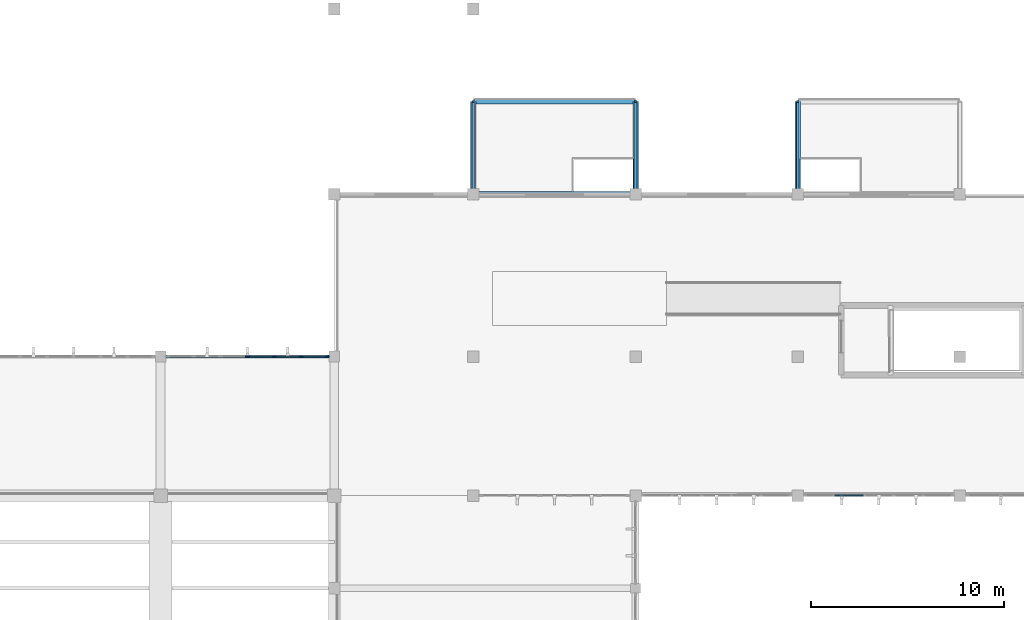
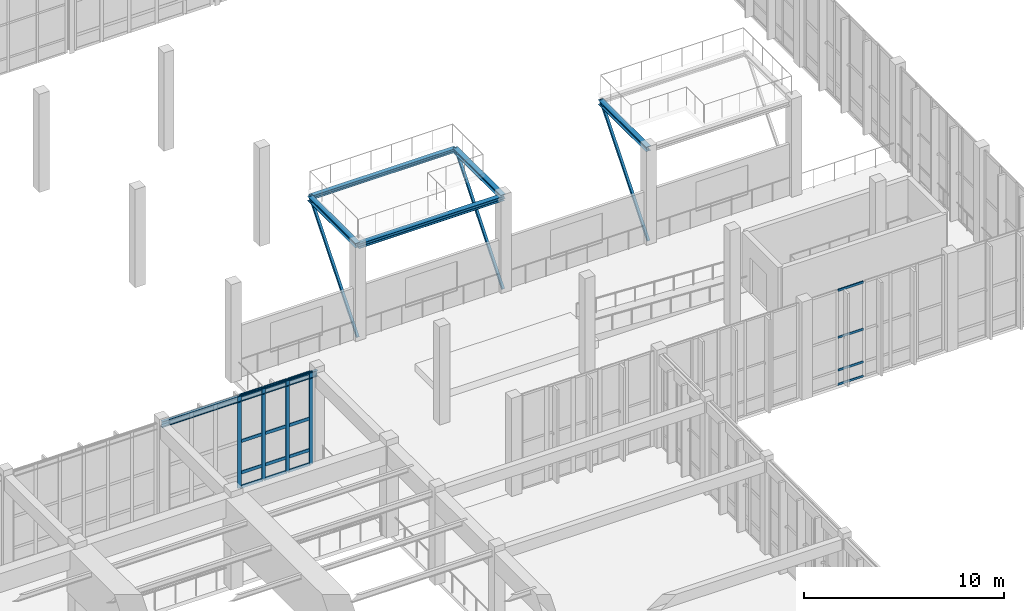
# One storey, part 48 of 105: 23 members, 6 beams, 2 elements without a shape of their own.
"""IFC4 building model written with IfcOpenShell, lengths in metres."""

import ifcopenshell
import ifcopenshell.guid

model = None  # the IFC model being written
_history = None  # IfcOwnerHistory: only IFC2X3 demands one
_inside = {}  # id of a spatial element -> (the spatial element, [elements in it])
_under = {}  # id of a project, library or spatial element -> (it, [spatial elements below it])
_declared = {}  # id of a project -> (the project, [libraries it declares])
_typed = {}  # id of a type object -> (the type object, [elements of that type])
_made_of = {}  # id of a material, layer set ... -> (it, [elements and type objects made of it])


def new_model(schema):
    """Start an empty IFC model of exactly this schema.

    Asked for "IFC4X3", IfcOpenShell would pick the latest addendum, in which some entities
    have other attributes; the version numbers below select the first issue.
    IFC2X3 requires an IfcOwnerHistory on every rooted entity: one is made here for all.
    """
    global model, _history
    if schema == "IFC4X3":
        model = ifcopenshell.file(schema_version=(4, 3, 0, 0))
    else:
        model = ifcopenshell.file(schema=schema)
    _inside.clear()
    _under.clear()
    _declared.clear()
    _typed.clear()
    _made_of.clear()
    _history = None
    if model.schema == "IFC2X3":
        org = make("IfcOrganization", Name="unknown")
        user = make(
            "IfcPersonAndOrganization",
            ThePerson=make("IfcPerson", FamilyName="unknown"),
            TheOrganization=org,
        )
        app = make(
            "IfcApplication",
            ApplicationDeveloper=org,
            Version="unknown",
            ApplicationFullName="unknown",
            ApplicationIdentifier="unknown",
        )
        _history = make(
            "IfcOwnerHistory",
            OwningUser=user,
            OwningApplication=app,
            ChangeAction="ADDED",
            CreationDate=0,
        )
    return model


def make(cls, **values):
    """One entity of the class cls with the attributes given. An attribute that is None is left unset."""
    return model.create_entity(
        cls, **{name: value for name, value in values.items() if value is not None}
    )


def rooted(cls, **values):
    """An entity with a GlobalId (a new one), such as an element, a storey or a relation."""
    return make(cls, GlobalId=ifcopenshell.guid.new(), OwnerHistory=_history, **values)


def si_unit(unit_type, name, prefix=None):
    """IfcSIUnit, for example si_unit("LENGTHUNIT", "METRE", prefix="MILLI")."""
    return make("IfcSIUnit", UnitType=unit_type, Prefix=prefix, Name=name)


def assignment(units):
    """IfcUnitAssignment: the units of a project."""
    return None if units is None else make("IfcUnitAssignment", Units=units)


def point(xyz):
    """IfcCartesianPoint."""
    return None if xyz is None else make("IfcCartesianPoint", Coordinates=xyz)


def direction(xyz):
    """IfcDirection."""
    return None if xyz is None else make("IfcDirection", DirectionRatios=xyz)


def frame(location, z_axis=None, x_axis=None):
    """IfcAxis2Placement3D, a coordinate frame: its origin and axes. An axis left out is left unset."""
    return make(
        "IfcAxis2Placement3D",
        Location=point(location),
        Axis=direction(z_axis),
        RefDirection=direction(x_axis),
    )


def frame_2d(location, x_axis=None):
    """IfcAxis2Placement2D, a coordinate frame in the plane: its origin and x axis."""
    return make(
        "IfcAxis2Placement2D", Location=point(location), RefDirection=direction(x_axis)
    )


def origin():
    """The frame at (0, 0, 0) with its axes left unset."""
    return frame((0.0, 0.0, 0.0))


def origin_2d():
    """The frame at (0, 0) in the plane with its x axis left unset."""
    return frame_2d((0.0, 0.0))


def place(relative_to, where):
    """IfcLocalPlacement: puts the frame where relative to a parent placement (None: the world)."""
    return make(
        "IfcLocalPlacement", PlacementRelTo=relative_to, RelativePlacement=where
    )


def context(
    kind, dimensions, precision=None, world=None, true_north=None, identifier=None
):
    """IfcGeometricRepresentationContext, for example the 3D "Model" context."""
    return make(
        "IfcGeometricRepresentationContext",
        ContextIdentifier=identifier,
        ContextType=kind,
        CoordinateSpaceDimension=dimensions,
        Precision=precision,
        WorldCoordinateSystem=world,
        TrueNorth=true_north,
    )


def subcontext(parent, identifier, kind, view, scale=None):
    """IfcGeometricRepresentationSubContext, for example "Body" below "Model"."""
    return make(
        "IfcGeometricRepresentationSubContext",
        ContextIdentifier=identifier,
        ContextType=kind,
        ParentContext=parent,
        TargetScale=scale,
        TargetView=view,
    )


def project(units=None, contexts=None):
    """IfcProject with its units and contexts."""
    return rooted(
        "IfcProject",
        Name="project",
        RepresentationContexts=contexts,
        UnitsInContext=assignment(units),
    )


def spatial(cls, under=None, at=None, **own):
    """A site, building, storey or space (cls), placed at a placement, below another one or the project."""
    s = rooted(cls, ObjectPlacement=at, **own)
    if under is not None:
        _under.setdefault(under.id(), (under, []))[1].append(s)
    return s


def profile(cls, at=None, kind="AREA", **sizes):
    """A parametric profile (cls). Its sizes go by their IFC names, for example OverallWidth=200.0."""
    return make(cls, ProfileType=kind, Position=at, **sizes)


def rectangle(**sizes):
    """IfcRectangleProfileDef."""
    return profile("IfcRectangleProfileDef", **sizes)


def hollow_rectangle(**sizes):
    """IfcRectangleHollowProfileDef."""
    return profile("IfcRectangleHollowProfileDef", **sizes)


def i_section(**sizes):
    """IfcIShapeProfileDef."""
    return profile("IfcIShapeProfileDef", **sizes)


def extrude(swept, where, along, depth):
    """IfcExtrudedAreaSolid: the profile swept, set in the frame where, extruded along a direction by depth."""
    return make(
        "IfcExtrudedAreaSolid",
        SweptArea=swept,
        Position=where,
        ExtrudedDirection=direction(along),
        Depth=depth,
    )


def shape(context_of_items, identifier, shape_type, items):
    """IfcShapeRepresentation: the items that make up one representation, for example the "Body"."""
    return make(
        "IfcShapeRepresentation",
        ContextOfItems=context_of_items,
        RepresentationIdentifier=identifier,
        RepresentationType=shape_type,
        Items=items,
    )


def material(Name=None, Category=None):
    """IfcMaterial."""
    return make("IfcMaterial", Name=Name, Category=Category)


def material_profile(
    of_material, cross_section, Name=None, Category=None, Priority=None
):
    """IfcMaterialProfile: a cross section and its material."""
    return make(
        "IfcMaterialProfile",
        Name=Name,
        Material=of_material,
        Profile=cross_section,
        Priority=Priority,
        Category=Category,
    )


def profile_set(profiles, Name=None, composite=None):
    """IfcMaterialProfileSet."""
    return make(
        "IfcMaterialProfileSet",
        Name=Name,
        MaterialProfiles=profiles,
        CompositeProfile=composite,
    )


def made_of(thing, what):
    """Note that an element or type object is made of a material, layer set ...; save() writes the relation."""
    if what is not None:
        _made_of.setdefault(what.id(), (what, []))[1].append(thing)
    return thing


def type_object(cls, material=None, **own):
    """A type object (cls), such as IfcWallType, which elements share."""
    return made_of(rooted(cls, **own), material)


def element(
    cls,
    number,
    at=None,
    inside=None,
    cuts=None,
    type_object=None,
    material=None,
    context=None,
    identifier="Body",
    shape_type=None,
    held_by="IfcProductDefinitionShape",
    body=None,
    shapes=None,
    **own,
):
    """One element of the class cls, such as IfcWall. Its Tag is "e" and its number.

    at: its placement. inside: the storey or other place that contains it. cuts: it is an
    opening in that element (IfcRelVoidsElement). A single representation is given by context,
    identifier, shape_type and body (its items); several are given by shapes. held_by: the class
    of the entity that holds the representations. save() writes the other relations.
    """
    e = rooted(cls, Tag="e%d" % number, ObjectPlacement=at, **own)
    if body is not None:
        shapes = [shape(context, identifier, shape_type, body)]
    if shapes is not None:
        e.Representation = make(held_by, Representations=shapes)
    if inside is not None:
        _inside.setdefault(inside.id(), (inside, []))[1].append(e)
    if cuts is not None:
        rooted(
            "IfcRelVoidsElement", RelatingBuildingElement=cuts, RelatedOpeningElement=e
        )
    if type_object is not None:
        _typed.setdefault(type_object.id(), (type_object, []))[1].append(e)
    return made_of(e, material)


def aggregate(whole, parts):
    """IfcRelAggregates: a whole, such as a stair, and the parts it consists of."""
    return rooted("IfcRelAggregates", RelatingObject=whole, RelatedObjects=parts)


def save(model, path):
    """Write the relations noted so far, then the file.

    IfcRelAggregates (storeys below a building ...), IfcRelContainedInSpatialStructure (elements
    in a storey), IfcRelDefinesByType, IfcRelAssociatesMaterial and IfcRelDeclares: one each for
    every whole, place, type object, material and project.
    """
    for whole, parts in _under.values():
        aggregate(whole, parts)
    for where, things in _inside.values():
        rooted(
            "IfcRelContainedInSpatialStructure",
            RelatedElements=things,
            RelatingStructure=where,
        )
    for kind, things in _typed.values():
        rooted("IfcRelDefinesByType", RelatedObjects=things, RelatingType=kind)
    for what, things in _made_of.values():
        rooted("IfcRelAssociatesMaterial", RelatedObjects=things, RelatingMaterial=what)
    for by, libraries in _declared.values():
        rooted("IfcRelDeclares", RelatingContext=by, RelatedDefinitions=libraries)
    model.write(path)


model = new_model("IFC4")

# Units and contexts
model_context = context("Model", 3, precision=1e-05, world=origin(), true_north=direction((0.0, 1.0)))
body_context = subcontext(model_context, "Body", "Model", "MODEL_VIEW")
ifc_project = project(units=[si_unit("LENGTHUNIT", "METRE"), si_unit("AREAUNIT", "SQUARE_METRE"), si_unit("VOLUMEUNIT", "CUBIC_METRE"), si_unit("PLANEANGLEUNIT", "RADIAN"), si_unit("MASSUNIT", "GRAM", prefix="KILO")], contexts=[model_context])

# Site, building, storey
site_placement = place(None, origin())
site = spatial("IfcSite", under=ifc_project, at=site_placement, CompositionType="ELEMENT")
building_placement = place(site_placement, origin())
building = spatial("IfcBuilding", under=site, at=building_placement, Name="Tizgana Railside Sports Hall", CompositionType="ELEMENT")
storey_placement = place(building_placement, frame((0.0, 0.0, 6.0)))
storey = spatial("IfcBuildingStorey", under=building, at=storey_placement, Name="L01", CompositionType="ELEMENT", Elevation=6.0)

# Curtain wall, members
ifc_material_1 = material(Name="Anodised aluminium and glass", Category="aluminium")
curtain_wall_type_1 = type_object("IfcCurtainWallType", Name="Unitised Curtain Wall Clinic 1200", PredefinedType="NOTDEFINED", material=ifc_material_1)
curtain_wall_1_placement = place(storey_placement, origin())
curtain_wall_1 = element("IfcCurtainWall", 1, at=curtain_wall_1_placement, inside=storey, type_object=curtain_wall_type_1, Name="L01 Curtain Wall CW-0028", PredefinedType="NOTDEFINED")
ifc_material_2 = material(Name="Anodised aluminium", Category="aluminium")
ifc_material_profile_1 = material_profile(ifc_material_2, rectangle(XDim=0.070068359375, YDim=0.219970703125, at=origin_2d()), Name="Mullion 70x220")
ifc_profile_set_1 = profile_set([ifc_material_profile_1], Name="Anodised aluminium")
member_type_1 = type_object("IfcMemberType", Name="Mullion 70x220", PredefinedType="MULLION", material=ifc_profile_set_1)
member_1_placement = place(storey_placement, frame((129.300048828125, 80.39990234375, 0.0), z_axis=(0.0, 0.0, 1.0), x_axis=(0.0, 1.0, 0.0)))
member_1 = element("IfcMember", 2, at=member_1_placement, type_object=member_type_1, Name="CW-05 mullion 4", PredefinedType="MULLION", context=body_context, shape_type="SweptSolid", body=[
    extrude(rectangle(XDim=0.070068359375, YDim=0.219970703125, at=origin_2d()), origin(), (0.0, 0.0, 1.0), 5.639892578125),
])
member_2_placement = place(storey_placement, frame((130.68994140625, 80.39990234375, 0.0), z_axis=(0.0, 0.0, 1.0), x_axis=(0.0, 1.0, 0.0)))
member_2 = element("IfcMember", 3, at=member_2_placement, type_object=member_type_1, Name="CW-05 mullion 5", PredefinedType="MULLION", context=body_context, shape_type="SweptSolid", body=[
    extrude(rectangle(XDim=0.070068359375, YDim=0.219970703125, at=origin_2d()), origin(), (0.0, 0.0, 1.0), 5.639892578125),
])
member_3_placement = place(storey_placement, frame((132.080078125, 80.39990234375, 0.0), z_axis=(0.0, 0.0, 1.0), x_axis=(0.0, 1.0, 0.0)))
member_3 = element("IfcMember", 4, at=member_3_placement, type_object=member_type_1, Name="CW-05 mullion 6", PredefinedType="MULLION", context=body_context, shape_type="SweptSolid", body=[
    extrude(rectangle(XDim=0.070068359375, YDim=0.219970703125, at=origin_2d()), origin(), (0.0, 0.0, 1.0), 5.639892578125),
])
member_4_placement = place(storey_placement, frame((133.43505859375, 80.39990234375, 0.0), z_axis=(0.0, 0.0, 1.0), x_axis=(0.0, 1.0, 0.0)))
member_4 = element("IfcMember", 5, at=member_4_placement, type_object=member_type_1, Name="CW-05 mullion 7", PredefinedType="MULLION", context=body_context, shape_type="SweptSolid", body=[
    extrude(rectangle(XDim=0.070068359375, YDim=0.219970703125, at=origin_2d()), origin(), (0.0, 0.0, 1.0), 5.639892578125),
])

# Beams
ifc_material_3 = material(Name="Steel S355J2", Category="steel")
ifc_material_profile_2 = material_profile(ifc_material_3, i_section(OverallWidth=0.239990234375, OverallDepth=0.239990234375, WebThickness=0.010009765625, FlangeThickness=0.01708984375, FilletRadius=0.02099609375, at=origin_2d()), Name="HEB 240")
ifc_profile_set_2 = profile_set([ifc_material_profile_2], Name="Steel S355J2")
beam_type_1 = type_object("IfcBeamType", Name="Steel Beam HEB 240", PredefinedType="BEAM", material=ifc_profile_set_2)
beam_1_placement = place(storey_placement, frame((141.0, 93.60009765625, 5.64990234375), z_axis=(1.0, 0.0, 0.0), x_axis=(0.0, 1.0, 0.0)))
element("IfcBeam", 6, at=beam_1_placement, inside=storey, type_object=beam_type_1, Name="L01 BEM-1294", PredefinedType="BEAM", context=body_context, shape_type="SweptSolid", body=[
    extrude(i_section(OverallWidth=0.239990234375, OverallDepth=0.239990234375, WebThickness=0.010009765625, FlangeThickness=0.01708984375, FilletRadius=0.02099609375, at=origin_2d()), origin(), (0.0, 0.0, 1.0), 8.39990234375),
])
ifc_material_profile_3 = material_profile(ifc_material_3, i_section(OverallWidth=0.280029296875, OverallDepth=0.280029296875, WebThickness=0.010498046875, FlangeThickness=0.01806640625, FilletRadius=0.02392578125, at=origin_2d()), Name="HEB 280")
ifc_profile_set_3 = profile_set([ifc_material_profile_3], Name="Steel S355J2")
beam_type_2 = type_object("IfcBeamType", Name="Steel Beam HEB 280", PredefinedType="BEAM", material=ifc_profile_set_3)
beam_2_placement = place(storey_placement, frame((141.0, 88.800048828125, 5.6298828125), z_axis=(1.0, 0.0, 0.0), x_axis=(0.0, 1.0, 0.0)))
element("IfcBeam", 7, at=beam_2_placement, inside=storey, type_object=beam_type_2, Name="L01 BEM-1293", PredefinedType="BEAM", context=body_context, shape_type="SweptSolid", body=[
    extrude(i_section(OverallWidth=0.280029296875, OverallDepth=0.280029296875, WebThickness=0.010498046875, FlangeThickness=0.01806640625, FilletRadius=0.02392578125, at=origin_2d()), origin(), (0.0, 0.0, 1.0), 8.39990234375),
])
for number, where, z_axis, x_axis, name in (
    (8, (141.0, 88.800048828125, 5.6298828125), (0.0, 1.0, 0.0), (-1.0, 0.0, 0.0), "L01 BEM-1295"),
    (9, (149.39990234375, 88.800048828125, 5.6298828125), (0.0, 1.0, 0.0), (-1.0, 0.0, 0.0), "L01 BEM-1296"),
    (10, (157.800048828125, 88.800048828125, 5.6298828125), (0.0, 1.0, 0.0), (-1.0, 0.0, 0.0), "L01 BEM-1299"),
):
    element("IfcBeam", number, at=place(storey_placement, frame(where, z_axis=z_axis, x_axis=x_axis)), inside=storey, type_object=beam_type_2, Name=name, PredefinedType="BEAM", context=body_context, shape_type="SweptSolid", body=[
        extrude(i_section(OverallWidth=0.280029296875, OverallDepth=0.280029296875, WebThickness=0.010498046875, FlangeThickness=0.01806640625, FilletRadius=0.02392578125, at=origin_2d()), origin(), (0.0, 0.0, 1.0), 4.800048828125),
    ])

# Members
ifc_material_profile_4 = material_profile(ifc_material_3, hollow_rectangle(XDim=0.139892578125, YDim=0.139892578125, WallThickness=0.008056640625, at=origin_2d()), Name="SHS 140x140x8")
ifc_profile_set_4 = profile_set([ifc_material_profile_4], Name="Steel S355J2")
member_type_2 = type_object("IfcMemberType", Name="Steel Brace SHS 140x140x8", PredefinedType="BRACE", material=ifc_profile_set_4)
for number, where, z_axis, x_axis, name in (
    (11, (141.0, 88.800048828125, 0.0), (0.0, 0.639531477187, 0.768764911847), (-1.0, 0.0, 0.0), "L01 Catwalk Raker"),
    (12, (149.39990234375, 88.800048828125, 0.0), (0.0, 0.639531477187, 0.768764911847), (-1.0, 0.0, 0.0), "L01 Catwalk Raker"),
    (13, (157.800048828125, 88.800048828125, 0.0), (0.0, 0.639531477187, 0.768764911847), (-1.0, 0.0, 0.0), "L01 Catwalk Raker"),
):
    element("IfcMember", number, at=place(storey_placement, frame(where, z_axis=z_axis, x_axis=x_axis)), inside=storey, type_object=member_type_2, Name=name, PredefinedType="BRACE", context=body_context, shape_type="SweptSolid", body=[
        extrude(hollow_rectangle(XDim=0.139892578125, YDim=0.139892578125, WallThickness=0.008056640625, at=origin_2d()), origin(), (0.0, 0.0, 1.0), 7.505615234375),
    ])

# Beam
ifc_material_profile_5 = material_profile(ifc_material_3, i_section(OverallWidth=0.169921875, OverallDepth=0.360107421875, WebThickness=0.008056640625, FlangeThickness=0.0126953125, FilletRadius=0.01806640625, at=origin_2d()), Name="IPE 360")
ifc_profile_set_5 = profile_set([ifc_material_profile_5], Name="Steel S355J2")
beam_type_3 = type_object("IfcBeamType", Name="Steel Joist IPE 360", PredefinedType="JOIST", material=ifc_profile_set_5)
beam_3_placement = place(storey_placement, frame((124.800048828125, 80.39990234375, 5.4560546875), z_axis=(1.0, 0.0, 0.0), x_axis=(0.0, 1.0, 0.0)))
element("IfcBeam", 14, at=beam_3_placement, inside=storey, type_object=beam_type_3, Name="L01 BEM-0327", PredefinedType="JOIST", context=body_context, shape_type="SweptSolid", body=[
    extrude(i_section(OverallWidth=0.169921875, OverallDepth=0.360107421875, WebThickness=0.008056640625, FlangeThickness=0.0126953125, FilletRadius=0.01806640625, at=origin_2d()), origin(), (0.0, 0.0, 1.0), 9.0),
])

# Curtain wall, members
curtain_wall_type_2 = type_object("IfcCurtainWallType", Name="Unitised Curtain Wall Foyer 1300", PredefinedType="NOTDEFINED", material=ifc_material_1)
curtain_wall_2_placement = place(storey_placement, origin())
curtain_wall_2 = element("IfcCurtainWall", 15, at=curtain_wall_2_placement, inside=storey, type_object=curtain_wall_type_2, Name="L01 Curtain Wall CW-0073", PredefinedType="NOTDEFINED")
ifc_material_profile_6 = material_profile(ifc_material_2, rectangle(XDim=0.06005859375, YDim=0.1298828125, at=origin_2d()), Name="Transom 60x130")
ifc_profile_set_6 = profile_set([ifc_material_profile_6], Name="Anodised aluminium")
member_type_3 = type_object("IfcMemberType", Name="Transom 60x130", PredefinedType="USERDEFINED", material=ifc_profile_set_6)
member_5_placement = place(storey_placement, frame((161.200927734375, 73.199951171875, 0.030029296875), z_axis=(-1.0, 0.0, 0.0), x_axis=(0.0, -1.0, 0.0)))
member_5 = element("IfcMember", 16, at=member_5_placement, type_object=member_type_3, Name="CW-02 transom 4.1", ObjectType="TRANSOM", PredefinedType="USERDEFINED", context=body_context, shape_type="SweptSolid", body=[
    extrude(rectangle(XDim=0.06005859375, YDim=0.1298828125, at=origin_2d()), origin(), (0.0, 0.0, 1.0), 1.47802734375),
])
member_6_placement = place(storey_placement, frame((161.200927734375, 73.199951171875, 0.89990234375), z_axis=(-1.0, 0.0, 0.0), x_axis=(0.0, -1.0, 0.0)))
member_6 = element("IfcMember", 17, at=member_6_placement, type_object=member_type_3, Name="CW-02 transom 4.2", ObjectType="TRANSOM", PredefinedType="USERDEFINED", context=body_context, shape_type="SweptSolid", body=[
    extrude(rectangle(XDim=0.06005859375, YDim=0.1298828125, at=origin_2d()), origin(), (0.0, 0.0, 1.0), 1.47802734375),
])
member_7_placement = place(storey_placement, frame((161.200927734375, 73.199951171875, 2.89990234375), z_axis=(-1.0, 0.0, 0.0), x_axis=(0.0, -1.0, 0.0)))
member_7 = element("IfcMember", 18, at=member_7_placement, type_object=member_type_3, Name="CW-02 transom 4.3", ObjectType="TRANSOM", PredefinedType="USERDEFINED", context=body_context, shape_type="SweptSolid", body=[
    extrude(rectangle(XDim=0.06005859375, YDim=0.1298828125, at=origin_2d()), origin(), (0.0, 0.0, 1.0), 1.47802734375),
])
member_8_placement = place(storey_placement, frame((161.200927734375, 73.199951171875, 5.77001953125), z_axis=(-1.0, 0.0, 0.0), x_axis=(0.0, -1.0, 0.0)))
member_8 = element("IfcMember", 19, at=member_8_placement, type_object=member_type_3, Name="CW-02 transom 4.4", ObjectType="TRANSOM", PredefinedType="USERDEFINED", context=body_context, shape_type="SweptSolid", body=[
    extrude(rectangle(XDim=0.06005859375, YDim=0.1298828125, at=origin_2d()), origin(), (0.0, 0.0, 1.0), 1.47802734375),
])
aggregate(curtain_wall_2, [member_5, member_6, member_7, member_8])

# Member
ifc_material_profile_7 = material_profile(ifc_material_2, rectangle(XDim=0.070068359375, YDim=0.18994140625, at=origin_2d()), Name="Transom 70x190")
ifc_profile_set_7 = profile_set([ifc_material_profile_7], Name="Anodised aluminium")
member_type_4 = type_object("IfcMemberType", Name="Transom 70x190", PredefinedType="USERDEFINED", material=ifc_profile_set_7)
member_9_placement = place(storey_placement, frame((129.3349609375, 80.39990234375, 0.034912109375), z_axis=(1.0, 0.0, 0.0), x_axis=(0.0, 1.0, 0.0)))
member_9 = element("IfcMember", 20, at=member_9_placement, type_object=member_type_4, Name="CW-05 transom 4.1", ObjectType="TRANSOM", PredefinedType="USERDEFINED", context=body_context, shape_type="SweptSolid", body=[
    extrude(rectangle(XDim=0.070068359375, YDim=0.18994140625, at=origin_2d()), origin(), (0.0, 0.0, 1.0), 1.320068359375),
])

member_10_placement = place(storey_placement, frame((129.3349609375, 80.39990234375, 0.89990234375), z_axis=(1.0, 0.0, 0.0), x_axis=(0.0, 1.0, 0.0)))
member_10 = element("IfcMember", 21, at=member_10_placement, type_object=member_type_4, Name="CW-05 transom 4.2", ObjectType="TRANSOM", PredefinedType="USERDEFINED", context=body_context, shape_type="SweptSolid", body=[
    extrude(rectangle(XDim=0.070068359375, YDim=0.18994140625, at=origin_2d()), origin(), (0.0, 0.0, 1.0), 1.320068359375),
])

member_11_placement = place(storey_placement, frame((129.3349609375, 80.39990234375, 2.820068359375), z_axis=(1.0, 0.0, 0.0), x_axis=(0.0, 1.0, 0.0)))
member_11 = element("IfcMember", 22, at=member_11_placement, type_object=member_type_4, Name="CW-05 transom 4.3", ObjectType="TRANSOM", PredefinedType="USERDEFINED", context=body_context, shape_type="SweptSolid", body=[
    extrude(rectangle(XDim=0.070068359375, YDim=0.18994140625, at=origin_2d()), origin(), (0.0, 0.0, 1.0), 1.320068359375),
])

member_12_placement = place(storey_placement, frame((129.3349609375, 80.39990234375, 5.60498046875), z_axis=(1.0, 0.0, 0.0), x_axis=(0.0, 1.0, 0.0)))
member_12 = element("IfcMember", 23, at=member_12_placement, type_object=member_type_4, Name="CW-05 transom 4.4", ObjectType="TRANSOM", PredefinedType="USERDEFINED", context=body_context, shape_type="SweptSolid", body=[
    extrude(rectangle(XDim=0.070068359375, YDim=0.18994140625, at=origin_2d()), origin(), (0.0, 0.0, 1.0), 1.320068359375),
])

member_13_placement = place(storey_placement, frame((130.72509765625, 80.39990234375, 0.034912109375), z_axis=(1.0, 0.0, 0.0), x_axis=(0.0, 1.0, 0.0)))
member_13 = element("IfcMember", 24, at=member_13_placement, type_object=member_type_4, Name="CW-05 transom 5.1", ObjectType="TRANSOM", PredefinedType="USERDEFINED", context=body_context, shape_type="SweptSolid", body=[
    extrude(rectangle(XDim=0.070068359375, YDim=0.18994140625, at=origin_2d()), origin(), (0.0, 0.0, 1.0), 1.31982421875),
])

member_14_placement = place(storey_placement, frame((130.72509765625, 80.39990234375, 0.89990234375), z_axis=(1.0, 0.0, 0.0), x_axis=(0.0, 1.0, 0.0)))
member_14 = element("IfcMember", 25, at=member_14_placement, type_object=member_type_4, Name="CW-05 transom 5.2", ObjectType="TRANSOM", PredefinedType="USERDEFINED", context=body_context, shape_type="SweptSolid", body=[
    extrude(rectangle(XDim=0.070068359375, YDim=0.18994140625, at=origin_2d()), origin(), (0.0, 0.0, 1.0), 1.31982421875),
])

member_15_placement = place(storey_placement, frame((130.72509765625, 80.39990234375, 2.820068359375), z_axis=(1.0, 0.0, 0.0), x_axis=(0.0, 1.0, 0.0)))
member_15 = element("IfcMember", 26, at=member_15_placement, type_object=member_type_4, Name="CW-05 transom 5.3", ObjectType="TRANSOM", PredefinedType="USERDEFINED", context=body_context, shape_type="SweptSolid", body=[
    extrude(rectangle(XDim=0.070068359375, YDim=0.18994140625, at=origin_2d()), origin(), (0.0, 0.0, 1.0), 1.31982421875),
])

member_16_placement = place(storey_placement, frame((130.72509765625, 80.39990234375, 5.60498046875), z_axis=(1.0, 0.0, 0.0), x_axis=(0.0, 1.0, 0.0)))
member_16 = element("IfcMember", 27, at=member_16_placement, type_object=member_type_4, Name="CW-05 transom 5.4", ObjectType="TRANSOM", PredefinedType="USERDEFINED", context=body_context, shape_type="SweptSolid", body=[
    extrude(rectangle(XDim=0.070068359375, YDim=0.18994140625, at=origin_2d()), origin(), (0.0, 0.0, 1.0), 1.31982421875),
])

member_17_placement = place(storey_placement, frame((132.114990234375, 80.39990234375, 0.034912109375), z_axis=(1.0, 0.0, 0.0), x_axis=(0.0, 1.0, 0.0)))
member_17 = element("IfcMember", 28, at=member_17_placement, type_object=member_type_4, Name="CW-05 transom 6.1", ObjectType="TRANSOM", PredefinedType="USERDEFINED", context=body_context, shape_type="SweptSolid", body=[
    extrude(rectangle(XDim=0.070068359375, YDim=0.18994140625, at=origin_2d()), origin(), (0.0, 0.0, 1.0), 1.284912109375),
])

member_18_placement = place(storey_placement, frame((132.114990234375, 80.39990234375, 0.89990234375), z_axis=(1.0, 0.0, 0.0), x_axis=(0.0, 1.0, 0.0)))
member_18 = element("IfcMember", 29, at=member_18_placement, type_object=member_type_4, Name="CW-05 transom 6.2", ObjectType="TRANSOM", PredefinedType="USERDEFINED", context=body_context, shape_type="SweptSolid", body=[
    extrude(rectangle(XDim=0.070068359375, YDim=0.18994140625, at=origin_2d()), origin(), (0.0, 0.0, 1.0), 1.284912109375),
])

member_19_placement = place(storey_placement, frame((132.114990234375, 80.39990234375, 2.820068359375), z_axis=(1.0, 0.0, 0.0), x_axis=(0.0, 1.0, 0.0)))
member_19 = element("IfcMember", 30, at=member_19_placement, type_object=member_type_4, Name="CW-05 transom 6.3", ObjectType="TRANSOM", PredefinedType="USERDEFINED", context=body_context, shape_type="SweptSolid", body=[
    extrude(rectangle(XDim=0.070068359375, YDim=0.18994140625, at=origin_2d()), origin(), (0.0, 0.0, 1.0), 1.284912109375),
])

member_20_placement = place(storey_placement, frame((132.114990234375, 80.39990234375, 5.60498046875), z_axis=(1.0, 0.0, 0.0), x_axis=(0.0, 1.0, 0.0)))
member_20 = element("IfcMember", 31, at=member_20_placement, type_object=member_type_4, Name="CW-05 transom 6.4", ObjectType="TRANSOM", PredefinedType="USERDEFINED", context=body_context, shape_type="SweptSolid", body=[
    extrude(rectangle(XDim=0.070068359375, YDim=0.18994140625, at=origin_2d()), origin(), (0.0, 0.0, 1.0), 1.284912109375),
])

aggregate(curtain_wall_1, [member_1, member_2, member_3, member_4, member_9, member_10, member_11, member_12, member_13, member_14, member_15, member_16, member_17, member_18, member_19, member_20])

save(model, "model.ifc")
